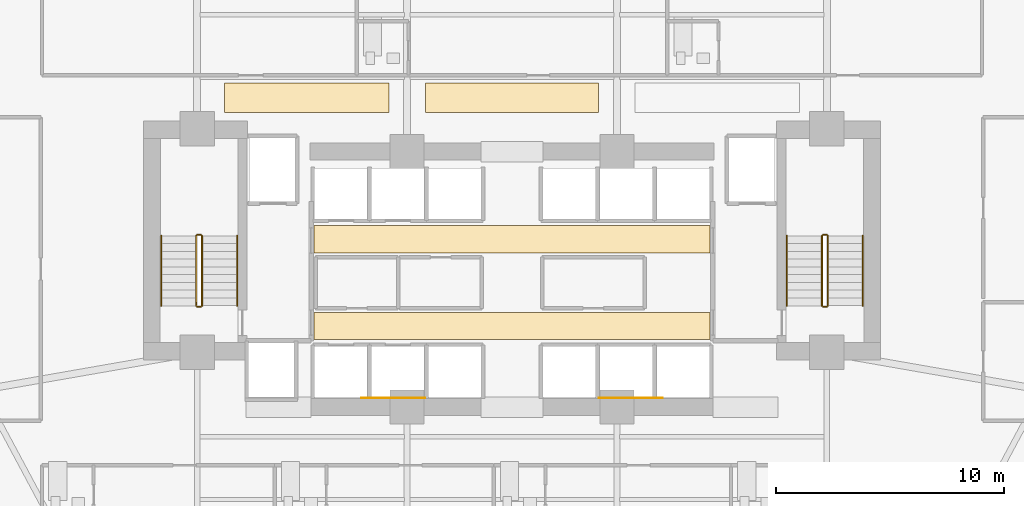
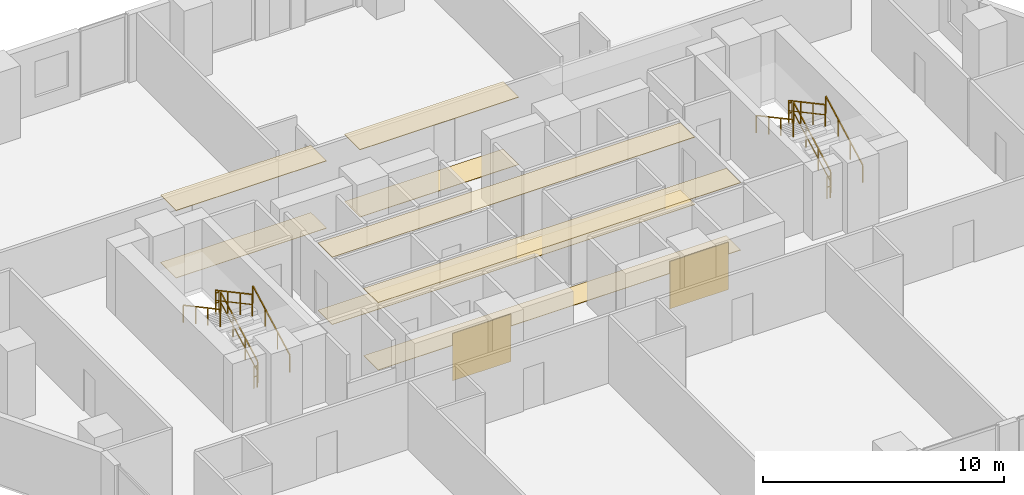
# One storey, part 26 of 28: 12 railings, 10 coverings.
"""IFC4 building model written with IfcOpenShell, lengths in metres."""

from ifc_helpers import new_model, si_unit, direction, frame, origin, origin_2d, place, context, subcontext, project, spatial, polyline, rectangle, outline, extrude, material, layer, layer_set, type_object, element, save


model = new_model("IFC4")

# Units and contexts
model_context = context("Model", 3, precision=1e-05, world=origin(), true_north=direction((0.0, 1.0)))
body_context = subcontext(model_context, "Body", "Model", "MODEL_VIEW")
ifc_project = project(units=[si_unit("LENGTHUNIT", "METRE"), si_unit("AREAUNIT", "SQUARE_METRE"), si_unit("VOLUMEUNIT", "CUBIC_METRE"), si_unit("PLANEANGLEUNIT", "RADIAN"), si_unit("MASSUNIT", "GRAM", prefix="KILO")], contexts=[model_context])

# Site, building, storey
site_placement = place(None, origin())
site = spatial("IfcSite", under=ifc_project, at=site_placement, CompositionType="ELEMENT")
building_placement = place(site_placement, origin())
building = spatial("IfcBuilding", under=site, at=building_placement, Name="Zuhayl Quay Hotel", CompositionType="ELEMENT")
storey_placement = place(building_placement, frame((0.0, 0.0, 139.449951171875)))
storey = spatial("IfcBuildingStorey", under=building, at=storey_placement, Name="L35", CompositionType="ELEMENT", Elevation=139.449951171875)

# Coverings
ifc_material_1 = material(Name="Acoustic Mineral-Fibre Gypsum Board")
ifc_layer_1 = layer(ifc_material_1, 0.02490234375, Name="Acoustic Mineral-Fibre Gypsum Board")
ifc_layer_set_1 = layer_set([ifc_layer_1], Name="Acoustic Mineral-Fibre Gypsum Board")
covering_type_1 = type_object("IfcCoveringType", Name="CV_CEIL_ACOUSTIC", PredefinedType="CEILING", material=ifc_layer_set_1)
covering_1_placement = place(storey_placement, frame((0.0, 0.0, 3.405029296875)))
element("IfcCovering", 1, at=covering_1_placement, inside=storey, type_object=covering_type_1, Name="L35 Suspended Acoustic Lobby Ceiling S", PredefinedType="CEILING", context=body_context, shape_type="SweptSolid", body=[
    extrude(outline(polyline([(-8.679931640625, 5.10009765625), (8.679931640625, 5.10009765625), (8.679931640625, 6.300048828125), (-8.679931640625, 6.300048828125), (-8.679931640625, 5.10009765625)])), origin(), (0.0, 0.0, 1.0), 0.02490234375),
])
covering_2_placement = place(storey_placement, frame((0.0, 0.0, 3.405029296875)))
element("IfcCovering", 2, at=covering_2_placement, inside=storey, type_object=covering_type_1, Name="L35 Suspended Acoustic Lobby Ceiling N", PredefinedType="CEILING", context=body_context, shape_type="SweptSolid", body=[
    extrude(outline(polyline([(-8.679931640625, 8.89990234375), (8.679931640625, 8.89990234375), (8.679931640625, 10.10009765625), (-8.679931640625, 10.10009765625), (-8.679931640625, 8.89990234375)])), origin(), (0.0, 0.0, 1.0), 0.02490234375),
])
covering_3_placement = place(storey_placement, frame((0.0, 0.0, 3.405029296875)))
element("IfcCovering", 3, at=covering_3_placement, inside=storey, type_object=covering_type_1, Name="L35 Guest Corridor Acoustic Ceiling CW", PredefinedType="CEILING", context=body_context, shape_type="SweptSolid", body=[
    extrude(outline(polyline([(-12.60009765625, 15.050048828125), (-5.39990234375, 15.050048828125), (-5.39990234375, 16.35009765625), (-12.60009765625, 16.35009765625), (-12.60009765625, 15.050048828125)])), origin(), (0.0, 0.0, 1.0), 0.02490234375),
])
covering_4_placement = place(storey_placement, frame((0.0, 0.0, 3.405029296875)))
element("IfcCovering", 4, at=covering_4_placement, inside=storey, type_object=covering_type_1, Name="L35 Guest Corridor Acoustic Ceiling CC", PredefinedType="CEILING", context=body_context, shape_type="SweptSolid", body=[
    extrude(outline(polyline([(-3.800048828125, 15.050048828125), (3.800048828125, 15.050048828125), (3.800048828125, 16.35009765625), (-3.800048828125, 16.35009765625), (-3.800048828125, 15.050048828125)])), origin(), (0.0, 0.0, 1.0), 0.02490234375),
])
ifc_material_2 = material(Name="Polished Limestone Terrazzo", Category="masonry")
ifc_layer_2 = layer(ifc_material_2, 0.02001953125, Name="Polished Limestone Terrazzo", Category="masonry")
ifc_layer_set_2 = layer_set([ifc_layer_2], Name="Polished Limestone Terrazzo")
covering_type_2 = type_object("IfcCoveringType", Name="CV_FLOOR_TERRAZZO", PredefinedType="FLOORING", material=ifc_layer_set_2)
covering_5_placement = place(storey_placement, origin())
element("IfcCovering", 5, at=covering_5_placement, inside=storey, type_object=covering_type_2, Name="L35 Honed Limestone Terrazzo Lobby Flooring S", PredefinedType="FLOORING", context=body_context, shape_type="SweptSolid", body=[
    extrude(outline(polyline([(-8.679931640625, 5.10009765625), (8.679931640625, 5.10009765625), (8.679931640625, 6.300048828125), (-8.679931640625, 6.300048828125), (-8.679931640625, 5.10009765625)])), origin(), (0.0, 0.0, 1.0), 0.02001953125),
])
covering_6_placement = place(storey_placement, origin())
element("IfcCovering", 6, at=covering_6_placement, inside=storey, type_object=covering_type_2, Name="L35 Honed Limestone Terrazzo Lobby Flooring N", PredefinedType="FLOORING", context=body_context, shape_type="SweptSolid", body=[
    extrude(outline(polyline([(-8.679931640625, 8.89990234375), (8.679931640625, 8.89990234375), (8.679931640625, 10.10009765625), (-8.679931640625, 10.10009765625), (-8.679931640625, 8.89990234375)])), origin(), (0.0, 0.0, 1.0), 0.02001953125),
])
covering_7_placement = place(storey_placement, origin())
element("IfcCovering", 7, at=covering_7_placement, inside=storey, type_object=covering_type_2, Name="L35 Guest Corridor Terrazzo Runner CW", PredefinedType="FLOORING", context=body_context, shape_type="SweptSolid", body=[
    extrude(outline(polyline([(-12.60009765625, 15.050048828125), (-5.39990234375, 15.050048828125), (-5.39990234375, 16.35009765625), (-12.60009765625, 16.35009765625), (-12.60009765625, 15.050048828125)])), origin(), (0.0, 0.0, 1.0), 0.02001953125),
])
covering_8_placement = place(storey_placement, origin())
element("IfcCovering", 8, at=covering_8_placement, inside=storey, type_object=covering_type_2, Name="L35 Guest Corridor Terrazzo Runner CC", PredefinedType="FLOORING", context=body_context, shape_type="SweptSolid", body=[
    extrude(outline(polyline([(-3.800048828125, 15.050048828125), (3.800048828125, 15.050048828125), (3.800048828125, 16.35009765625), (-3.800048828125, 16.35009765625), (-3.800048828125, 15.050048828125)])), origin(), (0.0, 0.0, 1.0), 0.02001953125),
])
ifc_material_3 = material(Name="Acoustic Walnut Feature Timber", Category="wood")
ifc_layer_3 = layer(ifc_material_3, 0.02197265625, Name="Acoustic Walnut Feature Timber", Category="wood")
ifc_layer_set_3 = layer_set([ifc_layer_3], Name="Acoustic Walnut Feature Timber")
covering_type_3 = type_object("IfcCoveringType", Name="CV_WALL_CLAD", PredefinedType="CLADDING", material=ifc_layer_set_3)
for number, where, z_axis, x_axis, name in (
    (9, (-5.199951171875, 2.535888671875, 0.300048828125), (0.0, 0.0, 1.0), (1.0, 0.0, 0.0), "L35 Feature Lobby Walnut Wall Cladding W"),
    (10, (5.199951171875, 2.535888671875, 0.300048828125), (0.0, 0.0, 1.0), (1.0, 0.0, 0.0), "L35 Feature Lobby Walnut Wall Cladding E"),
):
    element("IfcCovering", number, at=place(storey_placement, frame(where, z_axis=z_axis, x_axis=x_axis)), inside=storey, type_object=covering_type_3, Name=name, PredefinedType="CLADDING", context=body_context, shape_type="SweptSolid", body=[
        extrude(rectangle(XDim=2.800048828125, YDim=0.02197265625, at=origin_2d()), origin(), (0.0, 0.0, 1.0), 2.39990234375),
    ])

# Railings
ifc_material_4 = material(Name="Steel ASTM A992 Grade 50", Category="steel")
railing_type_1 = type_object("IfcRailingType", Name="RL_GUARD_1100", PredefinedType="GUARDRAIL", material=ifc_material_4)
railing_1_placement = place(storey_placement, frame((-13.590087890625, 6.590087890625, 0.1826171875)))
element("IfcRailing", 11, at=railing_1_placement, inside=storey, type_object=railing_type_1, Name="L35 ST1 stair guard 1", PredefinedType="GUARDRAIL", context=body_context, shape_type="SweptSolid", body=[
    extrude(rectangle(XDim=0.048095703125, YDim=0.048095703125, at=origin_2d()), frame((0.0, 0.0, 1.09619140625), z_axis=(0.0, 0.881102395774, 0.472925541879), x_axis=(-1.0, 0.0, 0.0)), (0.0, 0.0, 1.0), 3.47265625),
    extrude(rectangle(XDim=0.0361328125, YDim=0.0361328125, at=origin_2d()), frame((0.0, 0.0, 0.58251953125), z_axis=(0.0, 0.881102395774, 0.472925541879), x_axis=(-1.0, 0.0, 0.0)), (0.0, 0.0, 1.0), 3.47265625),
    extrude(rectangle(XDim=0.0419921875, YDim=0.0419921875, at=origin_2d()), origin(), (0.0, 0.0, 1.0), 1.072021484375),
    extrude(rectangle(XDim=0.0419921875, YDim=0.0419921875, at=origin_2d()), frame((0.0, 1.02001953125, 0.54736328125)), (0.0, 0.0, 1.0), 1.072021484375),
    extrude(rectangle(XDim=0.0419921875, YDim=0.0419921875, at=origin_2d()), frame((0.0, 2.039794921875, 1.094970703125)), (0.0, 0.0, 1.0), 1.072021484375),
    extrude(rectangle(XDim=0.0419921875, YDim=0.0419921875, at=origin_2d()), frame((0.0, 3.059814453125, 1.642333984375)), (0.0, 0.0, 1.0), 1.072021484375),
])
railing_2_placement = place(storey_placement, frame((-13.639892578125, 9.699951171875, 1.824951171875)))
element("IfcRailing", 12, at=railing_2_placement, inside=storey, type_object=railing_type_1, Name="L35 ST1 stair guard 2", PredefinedType="GUARDRAIL", context=body_context, shape_type="SweptSolid", body=[
    extrude(rectangle(XDim=0.048095703125, YDim=0.048095703125, at=origin_2d()), frame((0.0, 0.0, 1.09619140625), z_axis=(-1.0, 0.0, 0.0), x_axis=(0.0, -1.0, 0.0)), (0.0, 0.0, 1.0), 0.150146484375),
    extrude(rectangle(XDim=0.0361328125, YDim=0.0361328125, at=origin_2d()), frame((0.0, 0.0, 0.58251953125), z_axis=(-1.0, 0.0, 0.0), x_axis=(0.0, -1.0, 0.0)), (0.0, 0.0, 1.0), 0.150146484375),
    extrude(rectangle(XDim=0.0419921875, YDim=0.0419921875, at=origin_2d()), origin(), (0.0, 0.0, 1.0), 1.072021484375),
    extrude(rectangle(XDim=0.0419921875, YDim=0.0419921875, at=origin_2d()), frame((-0.150146484375, 0.0, 0.0)), (0.0, 0.0, 1.0), 1.072021484375),
])
railing_3_placement = place(storey_placement, frame((-13.840087890625, 9.64990234375, 2.007568359375)))
element("IfcRailing", 13, at=railing_3_placement, inside=storey, type_object=railing_type_1, Name="L35 ST1 stair guard 3", PredefinedType="GUARDRAIL", context=body_context, shape_type="SweptSolid", body=[
    extrude(rectangle(XDim=0.048095703125, YDim=0.048095703125, at=origin_2d()), frame((0.0, 0.0, 1.09619140625), z_axis=(0.0, -0.88107310026, 0.472980117973), x_axis=(1.0, 0.0, 0.0)), (0.0, 0.0, 1.0), 3.472900390625),
    extrude(rectangle(XDim=0.0361328125, YDim=0.0361328125, at=origin_2d()), frame((0.0, 0.0, 0.58251953125), z_axis=(0.0, -0.88107310026, 0.472980117973), x_axis=(1.0, 0.0, 0.0)), (0.0, 0.0, 1.0), 3.472900390625),
    extrude(rectangle(XDim=0.0419921875, YDim=0.0419921875, at=origin_2d()), origin(), (0.0, 0.0, 1.0), 1.072021484375),
    extrude(rectangle(XDim=0.0419921875, YDim=0.0419921875, at=origin_2d()), frame((0.0, -1.02001953125, 0.547607421875)), (0.0, 0.0, 1.0), 1.072021484375),
    extrude(rectangle(XDim=0.0419921875, YDim=0.0419921875, at=origin_2d()), frame((0.0, -2.039794921875, 1.094970703125)), (0.0, 0.0, 1.0), 1.072021484375),
    extrude(rectangle(XDim=0.0419921875, YDim=0.0419921875, at=origin_2d()), frame((0.0, -3.059814453125, 1.642578125)), (0.0, 0.0, 1.0), 1.072021484375),
])
railing_4_placement = place(storey_placement, frame((-13.639892578125, 6.5400390625, 0.0)))
element("IfcRailing", 14, at=railing_4_placement, inside=storey, type_object=railing_type_1, Name="L35 ST1 stair guard 4", PredefinedType="GUARDRAIL", context=body_context, shape_type="SweptSolid", body=[
    extrude(rectangle(XDim=0.048095703125, YDim=0.048095703125, at=origin_2d()), frame((0.0, 0.0, 1.09619140625), z_axis=(-1.0, 0.0, 0.0), x_axis=(0.0, -1.0, 0.0)), (0.0, 0.0, 1.0), 0.150146484375),
    extrude(rectangle(XDim=0.0361328125, YDim=0.0361328125, at=origin_2d()), frame((0.0, 0.0, 0.58251953125), z_axis=(-1.0, 0.0, 0.0), x_axis=(0.0, -1.0, 0.0)), (0.0, 0.0, 1.0), 0.150146484375),
    extrude(rectangle(XDim=0.0419921875, YDim=0.0419921875, at=origin_2d()), origin(), (0.0, 0.0, 1.0), 1.072021484375),
    extrude(rectangle(XDim=0.0419921875, YDim=0.0419921875, at=origin_2d()), frame((-0.150146484375, 0.0, 0.0)), (0.0, 0.0, 1.0), 1.072021484375),
])
railing_5_placement = place(storey_placement, frame((13.840087890625, 6.590087890625, 0.1826171875)))
element("IfcRailing", 15, at=railing_5_placement, inside=storey, type_object=railing_type_1, Name="L35 ST2 stair guard 1", PredefinedType="GUARDRAIL", context=body_context, shape_type="SweptSolid", body=[
    extrude(rectangle(XDim=0.048095703125, YDim=0.048095703125, at=origin_2d()), frame((0.0, 0.0, 1.09619140625), z_axis=(0.0, 0.881102395774, 0.472925541879), x_axis=(-1.0, 0.0, 0.0)), (0.0, 0.0, 1.0), 3.47265625),
    extrude(rectangle(XDim=0.0361328125, YDim=0.0361328125, at=origin_2d()), frame((0.0, 0.0, 0.58251953125), z_axis=(0.0, 0.881102395774, 0.472925541879), x_axis=(-1.0, 0.0, 0.0)), (0.0, 0.0, 1.0), 3.47265625),
    extrude(rectangle(XDim=0.0419921875, YDim=0.0419921875, at=origin_2d()), origin(), (0.0, 0.0, 1.0), 1.072021484375),
    extrude(rectangle(XDim=0.0419921875, YDim=0.0419921875, at=origin_2d()), frame((0.0, 1.02001953125, 0.54736328125)), (0.0, 0.0, 1.0), 1.072021484375),
    extrude(rectangle(XDim=0.0419921875, YDim=0.0419921875, at=origin_2d()), frame((0.0, 2.039794921875, 1.094970703125)), (0.0, 0.0, 1.0), 1.072021484375),
    extrude(rectangle(XDim=0.0419921875, YDim=0.0419921875, at=origin_2d()), frame((0.0, 3.059814453125, 1.642333984375)), (0.0, 0.0, 1.0), 1.072021484375),
])
railing_6_placement = place(storey_placement, frame((13.7900390625, 9.699951171875, 1.824951171875)))
element("IfcRailing", 16, at=railing_6_placement, inside=storey, type_object=railing_type_1, Name="L35 ST2 stair guard 2", PredefinedType="GUARDRAIL", context=body_context, shape_type="SweptSolid", body=[
    extrude(rectangle(XDim=0.048095703125, YDim=0.048095703125, at=origin_2d()), frame((0.0, 0.0, 1.09619140625), z_axis=(-1.0, 0.0, 0.0), x_axis=(0.0, -1.0, 0.0)), (0.0, 0.0, 1.0), 0.150146484375),
    extrude(rectangle(XDim=0.0361328125, YDim=0.0361328125, at=origin_2d()), frame((0.0, 0.0, 0.58251953125), z_axis=(-1.0, 0.0, 0.0), x_axis=(0.0, -1.0, 0.0)), (0.0, 0.0, 1.0), 0.150146484375),
    extrude(rectangle(XDim=0.0419921875, YDim=0.0419921875, at=origin_2d()), origin(), (0.0, 0.0, 1.0), 1.072021484375),
    extrude(rectangle(XDim=0.0419921875, YDim=0.0419921875, at=origin_2d()), frame((-0.150146484375, 0.0, 0.0)), (0.0, 0.0, 1.0), 1.072021484375),
])
railing_7_placement = place(storey_placement, frame((13.590087890625, 9.64990234375, 2.007568359375)))
element("IfcRailing", 17, at=railing_7_placement, inside=storey, type_object=railing_type_1, Name="L35 ST2 stair guard 3", PredefinedType="GUARDRAIL", context=body_context, shape_type="SweptSolid", body=[
    extrude(rectangle(XDim=0.048095703125, YDim=0.048095703125, at=origin_2d()), frame((0.0, 0.0, 1.09619140625), z_axis=(0.0, -0.88107310026, 0.472980117973), x_axis=(1.0, 0.0, 0.0)), (0.0, 0.0, 1.0), 3.472900390625),
    extrude(rectangle(XDim=0.0361328125, YDim=0.0361328125, at=origin_2d()), frame((0.0, 0.0, 0.58251953125), z_axis=(0.0, -0.88107310026, 0.472980117973), x_axis=(1.0, 0.0, 0.0)), (0.0, 0.0, 1.0), 3.472900390625),
    extrude(rectangle(XDim=0.0419921875, YDim=0.0419921875, at=origin_2d()), origin(), (0.0, 0.0, 1.0), 1.072021484375),
    extrude(rectangle(XDim=0.0419921875, YDim=0.0419921875, at=origin_2d()), frame((0.0, -1.02001953125, 0.547607421875)), (0.0, 0.0, 1.0), 1.072021484375),
    extrude(rectangle(XDim=0.0419921875, YDim=0.0419921875, at=origin_2d()), frame((0.0, -2.039794921875, 1.094970703125)), (0.0, 0.0, 1.0), 1.072021484375),
    extrude(rectangle(XDim=0.0419921875, YDim=0.0419921875, at=origin_2d()), frame((0.0, -3.059814453125, 1.642578125)), (0.0, 0.0, 1.0), 1.072021484375),
])
railing_8_placement = place(storey_placement, frame((13.7900390625, 6.5400390625, 0.0)))
element("IfcRailing", 18, at=railing_8_placement, inside=storey, type_object=railing_type_1, Name="L35 ST2 stair guard 4", PredefinedType="GUARDRAIL", context=body_context, shape_type="SweptSolid", body=[
    extrude(rectangle(XDim=0.048095703125, YDim=0.048095703125, at=origin_2d()), frame((0.0, 0.0, 1.09619140625), z_axis=(-1.0, 0.0, 0.0), x_axis=(0.0, -1.0, 0.0)), (0.0, 0.0, 1.0), 0.150146484375),
    extrude(rectangle(XDim=0.0361328125, YDim=0.0361328125, at=origin_2d()), frame((0.0, 0.0, 0.58251953125), z_axis=(-1.0, 0.0, 0.0), x_axis=(0.0, -1.0, 0.0)), (0.0, 0.0, 1.0), 0.150146484375),
    extrude(rectangle(XDim=0.0419921875, YDim=0.0419921875, at=origin_2d()), origin(), (0.0, 0.0, 1.0), 1.072021484375),
    extrude(rectangle(XDim=0.0419921875, YDim=0.0419921875, at=origin_2d()), frame((-0.150146484375, 0.0, 0.0)), (0.0, 0.0, 1.0), 1.072021484375),
])
railing_type_2 = type_object("IfcRailingType", Name="RL_HANDRAIL_920", PredefinedType="HANDRAIL", material=ifc_material_4)
railing_9_placement = place(storey_placement, frame((-12.050048828125, 6.590087890625, 0.1826171875)))
element("IfcRailing", 19, at=railing_9_placement, inside=storey, type_object=railing_type_2, Name="L35 ST1 stair handrail 1", PredefinedType="HANDRAIL", context=body_context, shape_type="SweptSolid", body=[
    extrude(rectangle(XDim=0.048095703125, YDim=0.048095703125, at=origin_2d()), frame((0.0, 0.0, 0.8759765625), z_axis=(0.0, 0.881102395774, 0.472925541879), x_axis=(-1.0, 0.0, 0.0)), (0.0, 0.0, 1.0), 3.47265625),
    extrude(rectangle(XDim=0.0419921875, YDim=0.0419921875, at=origin_2d()), origin(), (0.0, 0.0, 1.0), 0.851806640625),
    extrude(rectangle(XDim=0.0419921875, YDim=0.0419921875, at=origin_2d()), frame((0.0, 1.02001953125, 0.54736328125)), (0.0, 0.0, 1.0), 0.851806640625),
    extrude(rectangle(XDim=0.0419921875, YDim=0.0419921875, at=origin_2d()), frame((0.0, 2.039794921875, 1.094970703125)), (0.0, 0.0, 1.0), 0.851806640625),
    extrude(rectangle(XDim=0.0419921875, YDim=0.0419921875, at=origin_2d()), frame((0.0, 3.059814453125, 1.642333984375)), (0.0, 0.0, 1.0), 0.851806640625),
])
railing_10_placement = place(storey_placement, frame((-15.3798828125, 9.64990234375, 2.007568359375)))
element("IfcRailing", 20, at=railing_10_placement, inside=storey, type_object=railing_type_2, Name="L35 ST1 stair handrail 2", PredefinedType="HANDRAIL", context=body_context, shape_type="SweptSolid", body=[
    extrude(rectangle(XDim=0.048095703125, YDim=0.048095703125, at=origin_2d()), frame((0.0, 0.0, 0.8759765625), z_axis=(0.0, -0.88107310026, 0.472980117973), x_axis=(1.0, 0.0, 0.0)), (0.0, 0.0, 1.0), 3.472900390625),
    extrude(rectangle(XDim=0.0419921875, YDim=0.0419921875, at=origin_2d()), origin(), (0.0, 0.0, 1.0), 0.851806640625),
    extrude(rectangle(XDim=0.0419921875, YDim=0.0419921875, at=origin_2d()), frame((0.0, -1.02001953125, 0.547607421875)), (0.0, 0.0, 1.0), 0.851806640625),
    extrude(rectangle(XDim=0.0419921875, YDim=0.0419921875, at=origin_2d()), frame((0.0, -2.039794921875, 1.094970703125)), (0.0, 0.0, 1.0), 0.851806640625),
    extrude(rectangle(XDim=0.0419921875, YDim=0.0419921875, at=origin_2d()), frame((0.0, -3.059814453125, 1.642578125)), (0.0, 0.0, 1.0), 0.851806640625),
])
railing_11_placement = place(storey_placement, frame((15.3798828125, 6.590087890625, 0.1826171875)))
element("IfcRailing", 21, at=railing_11_placement, inside=storey, type_object=railing_type_2, Name="L35 ST2 stair handrail 1", PredefinedType="HANDRAIL", context=body_context, shape_type="SweptSolid", body=[
    extrude(rectangle(XDim=0.048095703125, YDim=0.048095703125, at=origin_2d()), frame((0.0, 0.0, 0.8759765625), z_axis=(0.0, 0.881102395774, 0.472925541879), x_axis=(-1.0, 0.0, 0.0)), (0.0, 0.0, 1.0), 3.47265625),
    extrude(rectangle(XDim=0.0419921875, YDim=0.0419921875, at=origin_2d()), origin(), (0.0, 0.0, 1.0), 0.851806640625),
    extrude(rectangle(XDim=0.0419921875, YDim=0.0419921875, at=origin_2d()), frame((0.0, 1.02001953125, 0.54736328125)), (0.0, 0.0, 1.0), 0.851806640625),
    extrude(rectangle(XDim=0.0419921875, YDim=0.0419921875, at=origin_2d()), frame((0.0, 2.039794921875, 1.094970703125)), (0.0, 0.0, 1.0), 0.851806640625),
    extrude(rectangle(XDim=0.0419921875, YDim=0.0419921875, at=origin_2d()), frame((0.0, 3.059814453125, 1.642333984375)), (0.0, 0.0, 1.0), 0.851806640625),
])
railing_12_placement = place(storey_placement, frame((12.050048828125, 9.64990234375, 2.007568359375)))
element("IfcRailing", 22, at=railing_12_placement, inside=storey, type_object=railing_type_2, Name="L35 ST2 stair handrail 2", PredefinedType="HANDRAIL", context=body_context, shape_type="SweptSolid", body=[
    extrude(rectangle(XDim=0.048095703125, YDim=0.048095703125, at=origin_2d()), frame((0.0, 0.0, 0.8759765625), z_axis=(0.0, -0.88107310026, 0.472980117973), x_axis=(1.0, 0.0, 0.0)), (0.0, 0.0, 1.0), 3.472900390625),
    extrude(rectangle(XDim=0.0419921875, YDim=0.0419921875, at=origin_2d()), origin(), (0.0, 0.0, 1.0), 0.851806640625),
    extrude(rectangle(XDim=0.0419921875, YDim=0.0419921875, at=origin_2d()), frame((0.0, -1.02001953125, 0.547607421875)), (0.0, 0.0, 1.0), 0.851806640625),
    extrude(rectangle(XDim=0.0419921875, YDim=0.0419921875, at=origin_2d()), frame((0.0, -2.039794921875, 1.094970703125)), (0.0, 0.0, 1.0), 0.851806640625),
    extrude(rectangle(XDim=0.0419921875, YDim=0.0419921875, at=origin_2d()), frame((0.0, -3.059814453125, 1.642578125)), (0.0, 0.0, 1.0), 0.851806640625),
])

save(model, "model.ifc")
